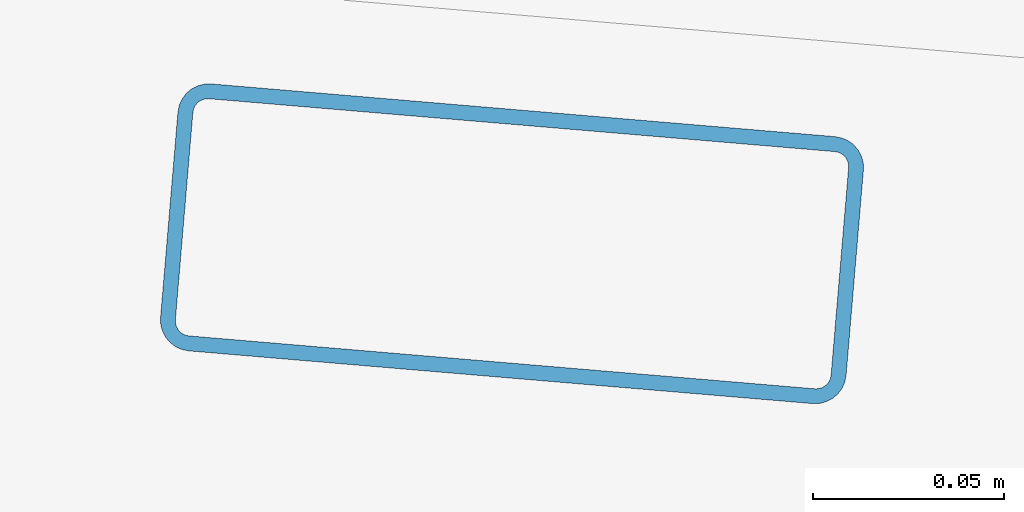
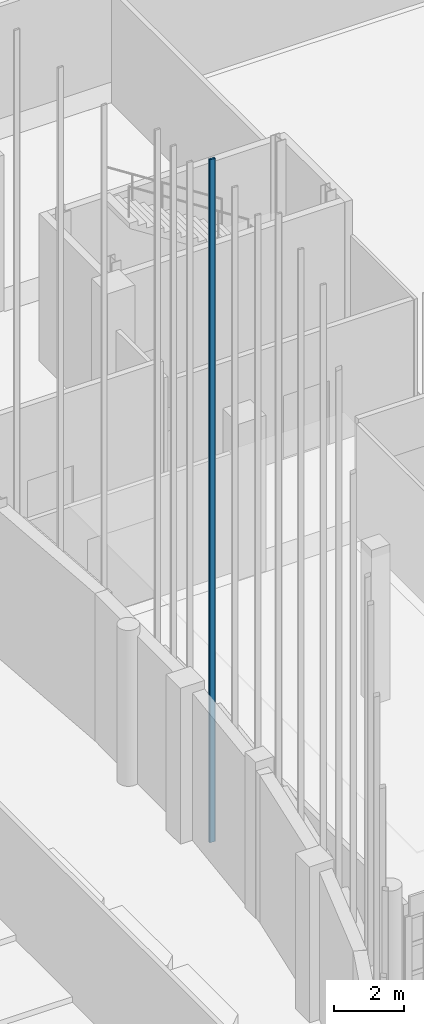
# One storey, part 120 of 372: 1 member.
"""IFC4 building model written with IfcOpenShell, lengths in metres."""

from ifc_helpers import new_model, si_unit, direction, frame, origin, origin_2d, place, context, subcontext, project, spatial, hollow_rectangle, extrude, material, material_profile, profile_set, type_object, element, save


model = new_model("IFC4")

# Units and contexts
model_context = context("Model", 3, precision=1e-05, world=origin(), true_north=direction((0.0, 1.0)))
body_context = subcontext(model_context, "Body", "Model", "MODEL_VIEW")
ifc_project = project(units=[si_unit("LENGTHUNIT", "METRE"), si_unit("AREAUNIT", "SQUARE_METRE"), si_unit("VOLUMEUNIT", "CUBIC_METRE"), si_unit("PLANEANGLEUNIT", "RADIAN"), si_unit("MASSUNIT", "GRAM", prefix="KILO")], contexts=[model_context])

# Site, building, storey
site_placement = place(None, origin())
site = spatial("IfcSite", under=ifc_project, at=site_placement, CompositionType="ELEMENT")
building_placement = place(site_placement, origin())
building = spatial("IfcBuilding", under=site, at=building_placement, Name="Kaelora Sail Theatre", CompositionType="ELEMENT")
storey_placement = place(building_placement, origin())
storey = spatial("IfcBuildingStorey", under=building, at=storey_placement, Name="L00", CompositionType="ELEMENT", Elevation=0.0)

# Member
ifc_material = material(Name="Anodised aluminium 6063-T6", Category="aluminium")
ifc_material_profile = material_profile(ifc_material, hollow_rectangle(XDim=0.070068359375, YDim=0.179931640625, WallThickness=0.00390625, InnerFilletRadius=0.00390625, OuterFilletRadius=0.008056640625, at=origin_2d()), Name="ALU-MULL 70x180x4")
ifc_profile_set = profile_set([ifc_material_profile], Name="Anodised aluminium 6063-T6")
member_type = type_object("IfcMemberType", Name="ARC-MEM-PST-160", PredefinedType="POST", material=ifc_profile_set)
member_placement = place(storey_placement, frame((58.731201171875, 49.75, 0.0), z_axis=(0.0, 0.0, 1.0), x_axis=(-0.084199594279, -0.996448909038, 0.0)))
element("IfcMember", 1, at=member_placement, inside=storey, type_object=member_type, Name="Main Theatre Sail Drum solar louvre vertical support post C3-1", PredefinedType="POST", context=body_context, shape_type="SweptSolid", body=[
    extrude(hollow_rectangle(XDim=0.070068359375, YDim=0.179931640625, WallThickness=0.00390625, InnerFilletRadius=0.00390625, OuterFilletRadius=0.008056640625, at=origin_2d()), origin(), (0.0, 0.0, 1.0), 23.66259765625),
])

save(model, "model.ifc")
